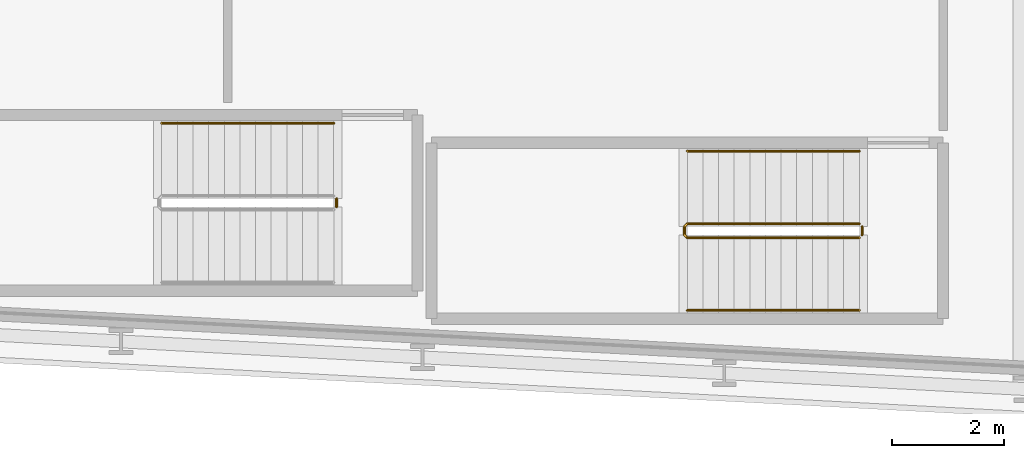
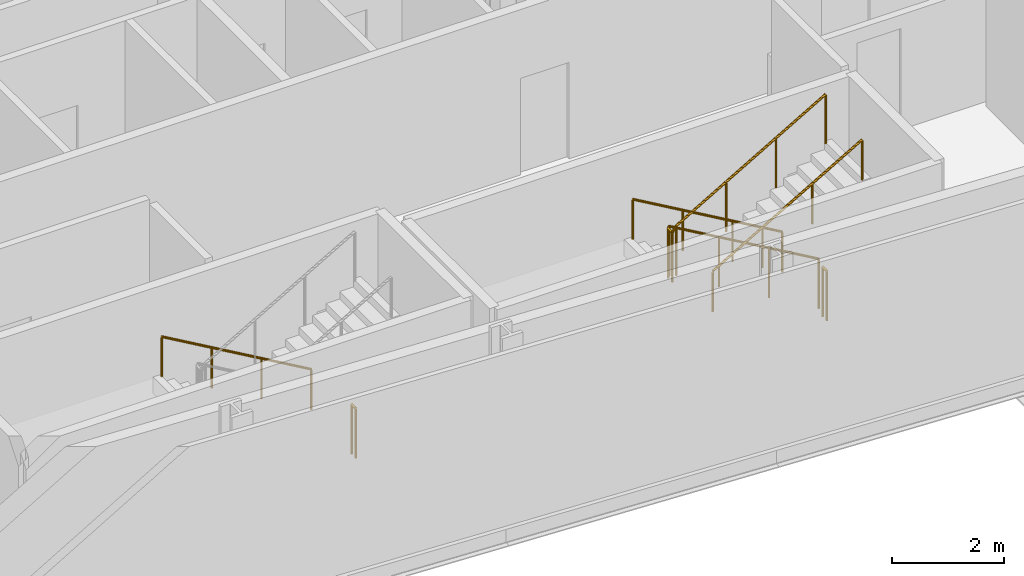
# One storey, part 25 of 28: 6 railings.
"""IFC4 building model written with IfcOpenShell, lengths in metres."""

from ifc_helpers import new_model, si_unit, direction, frame, origin, origin_2d, place, context, subcontext, project, spatial, circle, extrude, material, type_object, element, save


model = new_model("IFC4")

# Units and contexts
model_context = context("Model", 3, precision=1e-05, world=origin(), true_north=direction((0.0, 1.0)))
body_context = subcontext(model_context, "Body", "Model", "MODEL_VIEW")
ifc_project = project(units=[si_unit("LENGTHUNIT", "METRE"), si_unit("AREAUNIT", "SQUARE_METRE"), si_unit("VOLUMEUNIT", "CUBIC_METRE"), si_unit("PLANEANGLEUNIT", "RADIAN"), si_unit("MASSUNIT", "GRAM", prefix="KILO")], contexts=[model_context])

# Site, building, storey
site_placement = place(None, origin())
site = spatial("IfcSite", under=ifc_project, at=site_placement, CompositionType="ELEMENT")
building_placement = place(site_placement, origin())
building = spatial("IfcBuilding", under=site, at=building_placement, Name="Kheshtan School and Residences Tower", CompositionType="ELEMENT")
storey_placement = place(building_placement, frame((0.0, 0.0, 73.39990234375)))
storey = spatial("IfcBuildingStorey", under=building, at=storey_placement, Name="L17", CompositionType="ELEMENT", Elevation=73.39990234375)

# Railings
ifc_material_1 = material(Name="Stainless steel balustrade", Category="steel")
railing_type_1 = type_object("IfcRailingType", Name="Stair guard 1100", PredefinedType="GUARDRAIL", material=ifc_material_1)
railing_1_placement = place(storey_placement, frame((87.820068359375, 23.949951171875, 0.16259765625)))
element("IfcRailing", 1, at=railing_1_placement, inside=storey, type_object=railing_type_1, Name="L17 ST4 stair guard 1", PredefinedType="GUARDRAIL", context=body_context, shape_type="SweptSolid", body=[
    extrude(circle(Radius=0.02392578125, at=origin_2d()), frame((0.0, 0.0, 1.076171875), z_axis=(-0.864890721111, 0.0, 0.501960198159), x_axis=(0.0, -1.0, 0.0)), (0.0, 0.0, 1.0), 3.561279296875),
    extrude(circle(Radius=0.02392578125, at=origin_2d()), frame((-3.080078125, 0.0, 2.86376953125), z_axis=(-0.707106781187, -0.707106781187, 0.0), x_axis=(0.707106781187, -0.707106781187, 0.0)), (0.0, 0.0, 1.0), 0.07080078125),
    extrude(circle(Radius=0.02392578125, at=origin_2d()), frame((-3.130126953125, -0.050048828125, 2.86376953125), z_axis=(0.0, -1.0, 0.0), x_axis=(1.0, 0.0, 0.0)), (0.0, 0.0, 1.0), 0.14990234375),
    extrude(circle(Radius=0.02392578125, at=origin_2d()), frame((-3.130126953125, -0.199951171875, 2.86376953125), z_axis=(0.282583949758, -0.282583949758, 0.916674763849), x_axis=(0.707106781187, 0.707106781187, 0.0)), (0.0, 0.0, 1.0), 0.177001953125),
    extrude(circle(Radius=0.02392578125, at=origin_2d()), frame((-3.080078125, -0.25, 3.02587890625), z_axis=(0.864890721111, 0.0, 0.501960198159), x_axis=(0.0, 1.0, 0.0)), (0.0, 0.0, 1.0), 3.561279296875),
    extrude(circle(Radius=0.02099609375, at=origin_2d()), origin(), (0.0, 0.0, 1.0), 1.052001953125),
    extrude(circle(Radius=0.02099609375, at=origin_2d()), frame((-1.026611328125, 0.0, 0.595947265625)), (0.0, 0.0, 1.0), 1.052001953125),
    extrude(circle(Radius=0.02099609375, at=origin_2d()), frame((-2.053466796875, 0.0, 1.191650390625)), (0.0, 0.0, 1.0), 1.052001953125),
    extrude(circle(Radius=0.02099609375, at=origin_2d()), frame((-3.080078125, 0.0, 1.78759765625)), (0.0, 0.0, 1.0), 1.052001953125),
    extrude(circle(Radius=0.02099609375, at=origin_2d()), frame((-3.130126953125, -0.050048828125, 1.78759765625)), (0.0, 0.0, 1.0), 1.052001953125),
    extrude(circle(Radius=0.02099609375, at=origin_2d()), frame((-3.130126953125, -0.199951171875, 1.78759765625)), (0.0, 0.0, 1.0), 1.052001953125),
    extrude(circle(Radius=0.02099609375, at=origin_2d()), frame((-3.080078125, -0.25, 1.949951171875)), (0.0, 0.0, 1.0), 1.052001953125),
    extrude(circle(Radius=0.02099609375, at=origin_2d()), frame((-2.053466796875, -0.25, 2.5458984375)), (0.0, 0.0, 1.0), 1.052001953125),
    extrude(circle(Radius=0.02099609375, at=origin_2d()), frame((-1.026611328125, -0.25, 3.1416015625)), (0.0, 0.0, 1.0), 1.052001953125),
    extrude(circle(Radius=0.02099609375, at=origin_2d()), frame((0.0, -0.25, 3.737548828125)), (0.0, 0.0, 1.0), 1.052001953125),
])
for number, where, name in (
    (2, (87.8701171875, 23.89990234375, 0.0), "L17 ST4 stair guard 2"),
    (3, (78.4599609375, 24.39990234375, 0.0), "L17 ST5 stair guard 2"),
):
    element("IfcRailing", number, at=place(storey_placement, frame(where)), inside=storey, type_object=railing_type_1, Name=name, PredefinedType="GUARDRAIL", context=body_context, shape_type="SweptSolid", body=[
        extrude(circle(Radius=0.02392578125, at=origin_2d()), frame((0.0, 0.0, 1.076171875), z_axis=(0.0, -1.0, 0.0), x_axis=(1.0, 0.0, 0.0)), (0.0, 0.0, 1.0), 0.14990234375),
        extrude(circle(Radius=0.02099609375, at=origin_2d()), origin(), (0.0, 0.0, 1.0), 1.052001953125),
        extrude(circle(Radius=0.02099609375, at=origin_2d()), frame((0.0, -0.14990234375, 0.0)), (0.0, 0.0, 1.0), 1.052001953125),
    ])
ifc_material_2 = material(Name="Stainless steel handrail", Category="steel")
railing_type_2 = type_object("IfcRailingType", Name="Stair handrail 900", PredefinedType="HANDRAIL", material=ifc_material_2)
railing_2_placement = place(storey_placement, frame((87.820068359375, 25.25, 0.16259765625)))
element("IfcRailing", 4, at=railing_2_placement, inside=storey, type_object=railing_type_2, Name="L17 ST4 stair handrail 1", PredefinedType="HANDRAIL", context=body_context, shape_type="SweptSolid", body=[
    extrude(circle(Radius=0.02392578125, at=origin_2d()), frame((0.0, 0.0, 0.8759765625), z_axis=(-0.864890721111, 0.0, 0.501960198159), x_axis=(0.0, -1.0, 0.0)), (0.0, 0.0, 1.0), 3.561279296875),
    extrude(circle(Radius=0.02099609375, at=origin_2d()), origin(), (0.0, 0.0, 1.0), 0.851806640625),
    extrude(circle(Radius=0.02099609375, at=origin_2d()), frame((-1.026611328125, 0.0, 0.595947265625)), (0.0, 0.0, 1.0), 0.851806640625),
    extrude(circle(Radius=0.02099609375, at=origin_2d()), frame((-2.053466796875, 0.0, 1.191650390625)), (0.0, 0.0, 1.0), 0.851806640625),
    extrude(circle(Radius=0.02099609375, at=origin_2d()), frame((-3.080078125, 0.0, 1.78759765625)), (0.0, 0.0, 1.0), 0.851806640625),
])
railing_3_placement = place(storey_placement, frame((84.739990234375, 22.39990234375, 2.112548828125)))
element("IfcRailing", 5, at=railing_3_placement, inside=storey, type_object=railing_type_2, Name="L17 ST4 stair handrail 2", PredefinedType="HANDRAIL", context=body_context, shape_type="SweptSolid", body=[
    extrude(circle(Radius=0.02392578125, at=origin_2d()), frame((0.0, 0.0, 0.8759765625), z_axis=(0.864890721111, 0.0, 0.501960198159), x_axis=(0.0, 1.0, 0.0)), (0.0, 0.0, 1.0), 3.561279296875),
    extrude(circle(Radius=0.02099609375, at=origin_2d()), origin(), (0.0, 0.0, 1.0), 0.851806640625),
    extrude(circle(Radius=0.02099609375, at=origin_2d()), frame((1.026611328125, 0.0, 0.595947265625)), (0.0, 0.0, 1.0), 0.851806640625),
    extrude(circle(Radius=0.02099609375, at=origin_2d()), frame((2.053466796875, 0.0, 1.191650390625)), (0.0, 0.0, 1.0), 0.851806640625),
    extrude(circle(Radius=0.02099609375, at=origin_2d()), frame((3.080078125, 0.0, 1.78759765625)), (0.0, 0.0, 1.0), 0.851806640625),
])
railing_4_placement = place(storey_placement, frame((78.409912109375, 25.75, 0.16259765625)))
element("IfcRailing", 6, at=railing_4_placement, inside=storey, type_object=railing_type_2, Name="L17 ST5 stair handrail 1", PredefinedType="HANDRAIL", context=body_context, shape_type="SweptSolid", body=[
    extrude(circle(Radius=0.02392578125, at=origin_2d()), frame((0.0, 0.0, 0.8759765625), z_axis=(-0.864873446163, 0.0, 0.501989962173), x_axis=(0.0, -1.0, 0.0)), (0.0, 0.0, 1.0), 3.56103515625),
    extrude(circle(Radius=0.02099609375, at=origin_2d()), origin(), (0.0, 0.0, 1.0), 0.851806640625),
    extrude(circle(Radius=0.02099609375, at=origin_2d()), frame((-1.026611328125, 0.0, 0.595947265625)), (0.0, 0.0, 1.0), 0.851806640625),
    extrude(circle(Radius=0.02099609375, at=origin_2d()), frame((-2.05322265625, 0.0, 1.191650390625)), (0.0, 0.0, 1.0), 0.851806640625),
    extrude(circle(Radius=0.02099609375, at=origin_2d()), frame((-3.079833984375, 0.0, 1.78759765625)), (0.0, 0.0, 1.0), 0.851806640625),
])

save(model, "model.ifc")
